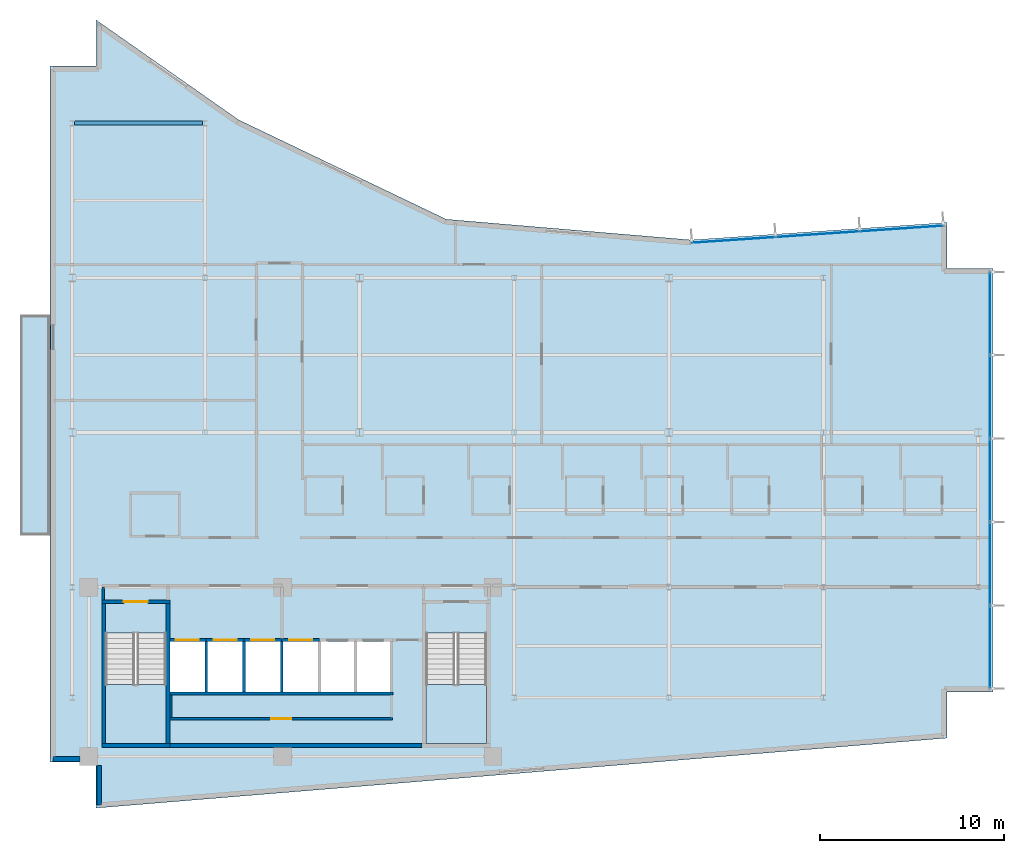
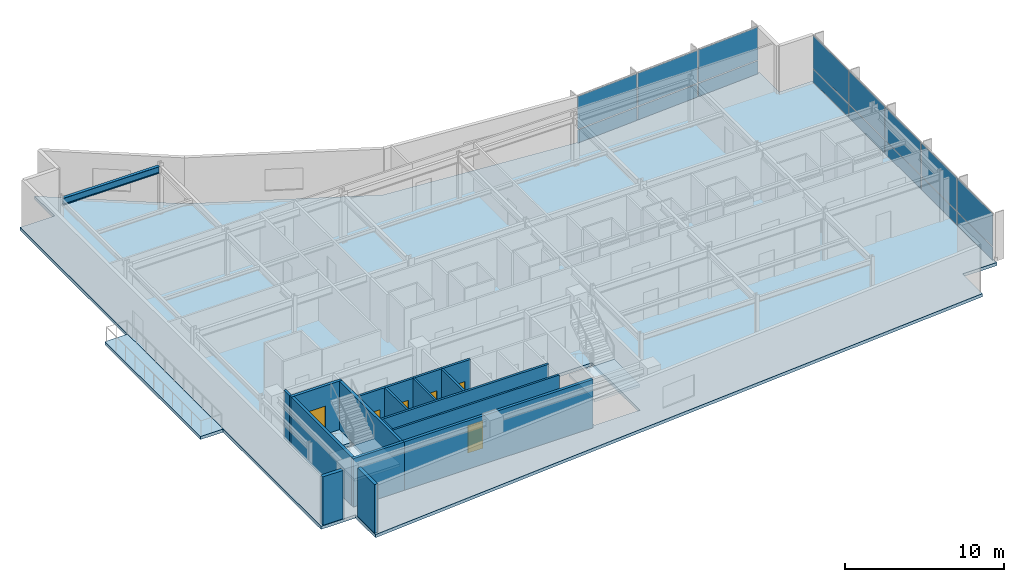
# One storey, part 10 of 17: 18 walls, 16 plates, 6 doors, 4 slabs, 1 beam, 6 openings, 4 elements without a shape of their own.
"""IFC4 building model written with IfcOpenShell, lengths in metres."""

from ifc_helpers import new_model, si_unit, direction, frame, frame_2d, origin, origin_2d, place, context, subcontext, project, spatial, polyline, rectangle, i_section, outline, extrude, material, layer, layer_set, material_profile, profile_set, type_object, element, fill, aggregate, save


model = new_model("IFC4")

# Units and contexts
model_context = context("Model", 3, precision=1e-05, world=origin(), true_north=direction((0.0, 1.0)))
body_context = subcontext(model_context, "Body", "Model", "MODEL_VIEW")
ifc_project = project(units=[si_unit("LENGTHUNIT", "METRE"), si_unit("AREAUNIT", "SQUARE_METRE"), si_unit("VOLUMEUNIT", "CUBIC_METRE"), si_unit("PLANEANGLEUNIT", "RADIAN"), si_unit("MASSUNIT", "GRAM", prefix="KILO")], contexts=[model_context])

# Site, building, storey
site_placement = place(None, origin())
site = spatial("IfcSite", under=ifc_project, at=site_placement, CompositionType="ELEMENT")
building_placement = place(site_placement, origin())
building = spatial("IfcBuilding", under=site, at=building_placement, Name="Varnakote Quay Hospital", CompositionType="ELEMENT")
storey_placement = place(building_placement, frame((0.0, 0.0, 227.64990234375)))
storey = spatial("IfcBuildingStorey", under=building, at=storey_placement, Name="L56", CompositionType="ELEMENT", Elevation=227.64990234375)

# Beam
ifc_material_1 = material(Name="Structural steel AS/NZS 3679.1 Grade 350 L0 (fy 340 MPa)", Category="steel")
ifc_material_profile = material_profile(ifc_material_1, i_section(OverallWidth=0.208984375, OverallDepth=0.532958984375, WebThickness=0.01025390625, FlangeThickness=0.015625, FilletRadius=0.013916015625, at=origin_2d()), Name="530UB92.4")
ifc_profile_set = profile_set([ifc_material_profile], Name="Structural steel AS/NZS 3679.1 Grade 350 L0 (fy 340 MPa)")
beam_type = type_object("IfcBeamType", Name="BM-STL-530UB92-4", PredefinedType="BEAM", material=ifc_profile_set)
beam_placement = place(storey_placement, frame((1.327880859375, 37.199951171875, 3.443603515625), z_axis=(1.0, 0.0, 0.0), x_axis=(0.0, 1.0, 0.0)))
element("IfcBeam", 1, at=beam_placement, inside=storey, type_object=beam_type, Name="L56 Primary Floor Beam", PredefinedType="BEAM", context=body_context, shape_type="SweptSolid", body=[
    extrude(i_section(OverallWidth=0.208984375, OverallDepth=0.532958984375, WebThickness=0.01025390625, FlangeThickness=0.015625, FilletRadius=0.013916015625, at=origin_2d()), origin(), (0.0, 0.0, 1.0), 6.944091796875),
])

# Curtain wall, plates
ifc_material_2 = material(Name="Anodised aluminium 6063-T6 Bronze", Category="aluminium")
ifc_layer_1 = layer(ifc_material_2, 0.219970703125)
ifc_layer_set_1 = layer_set([ifc_layer_1], Name="Anodised aluminium 6063-T6 Bronze")
curtain_wall_type = type_object("IfcCurtainWallType", Name="CW-SYS-4", PredefinedType="NOTDEFINED", material=ifc_layer_set_1)
curtain_wall_1_placement = place(storey_placement, origin())
curtain_wall_1 = element("IfcCurtainWall", 2, at=curtain_wall_1_placement, inside=storey, type_object=curtain_wall_type, Name="L56 Unitised Bronze Curtain Wall 1", PredefinedType="NOTDEFINED")
ifc_material_3 = material(Name="Double-glazed low-E solar glass", Category="glass")
ifc_layer_2 = layer(ifc_material_3, 0.028076171875)
ifc_layer_set_2 = layer_set([ifc_layer_2], Name="Double-glazed low-E solar glass")
plate_type = type_object("IfcPlateType", Name="CW-PNL-GLZ-28", PredefinedType="CURTAIN_PANEL", material=ifc_layer_set_2)
plate_1_placement = place(storey_placement, frame((51.0400390625, 8.744140625, 0.065185546875), z_axis=(0.0, 0.0, 1.0), x_axis=(0.0, 1.0, 0.0)))
plate_1 = element("IfcPlate", 3, at=plate_1_placement, type_object=plate_type, Name="-4-L56-1 panel 1.1", PredefinedType="CURTAIN_PANEL", context=body_context, shape_type="SweptSolid", body=[
    extrude(rectangle(XDim=4.4384765625, YDim=0.028076171875, at=origin_2d()), origin(), (0.0, 0.0, 1.0), 1.00244140625),
])
plate_2_placement = place(storey_placement, frame((51.0400390625, 8.744140625, 1.1328125), z_axis=(0.0, 0.0, 1.0), x_axis=(0.0, 1.0, 0.0)))
plate_2 = element("IfcPlate", 4, at=plate_2_placement, type_object=plate_type, Name="-4-L56-1 panel 1.2", PredefinedType="CURTAIN_PANEL", context=body_context, shape_type="SweptSolid", body=[
    extrude(rectangle(XDim=4.4384765625, YDim=0.028076171875, at=origin_2d()), origin(), (0.0, 0.0, 1.0), 2.512451171875),
])
plate_3_placement = place(storey_placement, frame((51.0400390625, 13.263916015625, 0.065185546875), z_axis=(0.0, 0.0, 1.0), x_axis=(0.0, 1.0, 0.0)))
plate_3 = element("IfcPlate", 5, at=plate_3_placement, type_object=plate_type, Name="-4-L56-1 panel 2.1", PredefinedType="CURTAIN_PANEL", context=body_context, shape_type="SweptSolid", body=[
    extrude(rectangle(XDim=4.470947265625, YDim=0.028076171875, at=origin_2d()), origin(), (0.0, 0.0, 1.0), 1.00244140625),
])
plate_4_placement = place(storey_placement, frame((51.0400390625, 13.263916015625, 1.1328125), z_axis=(0.0, 0.0, 1.0), x_axis=(0.0, 1.0, 0.0)))
plate_4 = element("IfcPlate", 6, at=plate_4_placement, type_object=plate_type, Name="-4-L56-1 panel 2.2", PredefinedType="CURTAIN_PANEL", context=body_context, shape_type="SweptSolid", body=[
    extrude(rectangle(XDim=4.470947265625, YDim=0.028076171875, at=origin_2d()), origin(), (0.0, 0.0, 1.0), 2.512451171875),
])
plate_5_placement = place(storey_placement, frame((51.0400390625, 17.800048828125, 0.065185546875), z_axis=(0.0, 0.0, 1.0), x_axis=(0.0, 1.0, 0.0)))
plate_5 = element("IfcPlate", 7, at=plate_5_placement, type_object=plate_type, Name="-4-L56-1 panel 3.1", PredefinedType="CURTAIN_PANEL", context=body_context, shape_type="SweptSolid", body=[
    extrude(rectangle(XDim=4.470947265625, YDim=0.028076171875, at=origin_2d()), origin(), (0.0, 0.0, 1.0), 1.00244140625),
])
plate_6_placement = place(storey_placement, frame((51.0400390625, 17.800048828125, 1.1328125), z_axis=(0.0, 0.0, 1.0), x_axis=(0.0, 1.0, 0.0)))
plate_6 = element("IfcPlate", 8, at=plate_6_placement, type_object=plate_type, Name="-4-L56-1 panel 3.2", PredefinedType="CURTAIN_PANEL", context=body_context, shape_type="SweptSolid", body=[
    extrude(rectangle(XDim=4.470947265625, YDim=0.028076171875, at=origin_2d()), origin(), (0.0, 0.0, 1.0), 2.512451171875),
])
plate_7_placement = place(storey_placement, frame((51.0400390625, 22.3359375, 0.065185546875), z_axis=(0.0, 0.0, 1.0), x_axis=(0.0, 1.0, 0.0)))
plate_7 = element("IfcPlate", 9, at=plate_7_placement, type_object=plate_type, Name="-4-L56-1 panel 4.1", PredefinedType="CURTAIN_PANEL", context=body_context, shape_type="SweptSolid", body=[
    extrude(rectangle(XDim=4.470947265625, YDim=0.028076171875, at=origin_2d()), origin(), (0.0, 0.0, 1.0), 1.00244140625),
])
plate_8_placement = place(storey_placement, frame((51.0400390625, 22.3359375, 1.1328125), z_axis=(0.0, 0.0, 1.0), x_axis=(0.0, 1.0, 0.0)))
plate_8 = element("IfcPlate", 10, at=plate_8_placement, type_object=plate_type, Name="-4-L56-1 panel 4.2", PredefinedType="CURTAIN_PANEL", context=body_context, shape_type="SweptSolid", body=[
    extrude(rectangle(XDim=4.470947265625, YDim=0.028076171875, at=origin_2d()), origin(), (0.0, 0.0, 1.0), 2.512451171875),
])
plate_9_placement = place(storey_placement, frame((51.0400390625, 26.855712890625, 0.065185546875), z_axis=(0.0, 0.0, 1.0), x_axis=(0.0, 1.0, 0.0)))
plate_9 = element("IfcPlate", 11, at=plate_9_placement, type_object=plate_type, Name="-4-L56-1 panel 5.1", PredefinedType="CURTAIN_PANEL", context=body_context, shape_type="SweptSolid", body=[
    extrude(rectangle(XDim=4.4384765625, YDim=0.028076171875, at=origin_2d()), origin(), (0.0, 0.0, 1.0), 1.00244140625),
])
plate_10_placement = place(storey_placement, frame((51.0400390625, 26.855712890625, 1.1328125), z_axis=(0.0, 0.0, 1.0), x_axis=(0.0, 1.0, 0.0)))
plate_10 = element("IfcPlate", 12, at=plate_10_placement, type_object=plate_type, Name="-4-L56-1 panel 5.2", PredefinedType="CURTAIN_PANEL", context=body_context, shape_type="SweptSolid", body=[
    extrude(rectangle(XDim=4.4384765625, YDim=0.028076171875, at=origin_2d()), origin(), (0.0, 0.0, 1.0), 2.512451171875),
])
aggregate(curtain_wall_1, [plate_1, plate_2, plate_3, plate_4, plate_5, plate_6, plate_7, plate_8, plate_9, plate_10])

curtain_wall_2_placement = place(storey_placement, origin())
curtain_wall_2 = element("IfcCurtainWall", 13, at=curtain_wall_2_placement, inside=storey, type_object=curtain_wall_type, Name="L56 Unitised Bronze Curtain Wall 2", PredefinedType="NOTDEFINED")
plate_11_placement = place(storey_placement, frame((46.236328125, 31.47216796875, 0.065185546875), z_axis=(0.0, 0.0, 1.0), x_axis=(-0.997696087615, -0.067841851077, 0.0)))
plate_11 = element("IfcPlate", 14, at=plate_11_placement, type_object=plate_type, Name="-4-L56-2 panel 1.1", PredefinedType="CURTAIN_PANEL", context=body_context, shape_type="SweptSolid", body=[
    extrude(rectangle(XDim=4.48828125, YDim=0.028076171875, at=origin_2d()), origin(), (0.0, 0.0, 1.0), 1.00244140625),
])
plate_12_placement = place(storey_placement, frame((46.236328125, 31.47216796875, 1.1328125), z_axis=(0.0, 0.0, 1.0), x_axis=(-0.997696087615, -0.067841851077, 0.0)))
plate_12 = element("IfcPlate", 15, at=plate_12_placement, type_object=plate_type, Name="-4-L56-2 panel 1.2", PredefinedType="CURTAIN_PANEL", context=body_context, shape_type="SweptSolid", body=[
    extrude(rectangle(XDim=4.48828125, YDim=0.028076171875, at=origin_2d()), origin(), (0.0, 0.0, 1.0), 2.512451171875),
])
plate_13_placement = place(storey_placement, frame((41.67724609375, 31.162109375, 0.065185546875), z_axis=(0.0, 0.0, 1.0), x_axis=(-0.997696087615, -0.067841851077, 0.0)))
plate_13 = element("IfcPlate", 16, at=plate_13_placement, type_object=plate_type, Name="-4-L56-2 panel 2.1", PredefinedType="CURTAIN_PANEL", context=body_context, shape_type="SweptSolid", body=[
    extrude(rectangle(XDim=4.520751953125, YDim=0.028076171875, at=origin_2d()), origin(), (0.0, 0.0, 1.0), 1.00244140625),
])
plate_14_placement = place(storey_placement, frame((41.67724609375, 31.162109375, 1.1328125), z_axis=(0.0, 0.0, 1.0), x_axis=(-0.997696087615, -0.067841851077, 0.0)))
plate_14 = element("IfcPlate", 17, at=plate_14_placement, type_object=plate_type, Name="-4-L56-2 panel 2.2", PredefinedType="CURTAIN_PANEL", context=body_context, shape_type="SweptSolid", body=[
    extrude(rectangle(XDim=4.520751953125, YDim=0.028076171875, at=origin_2d()), origin(), (0.0, 0.0, 1.0), 2.512451171875),
])
plate_15_placement = place(storey_placement, frame((37.118408203125, 30.85205078125, 0.065185546875), z_axis=(0.0, 0.0, 1.0), x_axis=(-0.997696087615, -0.067841851077, 0.0)))
plate_15 = element("IfcPlate", 18, at=plate_15_placement, type_object=plate_type, Name="-4-L56-2 panel 3.1", PredefinedType="CURTAIN_PANEL", context=body_context, shape_type="SweptSolid", body=[
    extrude(rectangle(XDim=4.48828125, YDim=0.028076171875, at=origin_2d()), origin(), (0.0, 0.0, 1.0), 1.00244140625),
])
plate_16_placement = place(storey_placement, frame((37.118408203125, 30.85205078125, 1.1328125), z_axis=(0.0, 0.0, 1.0), x_axis=(-0.997696087615, -0.067841851077, 0.0)))
plate_16 = element("IfcPlate", 19, at=plate_16_placement, type_object=plate_type, Name="-4-L56-2 panel 3.2", PredefinedType="CURTAIN_PANEL", context=body_context, shape_type="SweptSolid", body=[
    extrude(rectangle(XDim=4.48828125, YDim=0.028076171875, at=origin_2d()), origin(), (0.0, 0.0, 1.0), 2.512451171875),
])
aggregate(curtain_wall_2, [plate_11, plate_12, plate_13, plate_14, plate_15, plate_16])

# Stair, slab
ifc_material_4 = material(Name="Concrete N40 (f'c 40 MPa)", Category="concrete")
stair_type = type_object("IfcStairType", Name="STR-CORE-1580", PredefinedType="HALF_TURN_STAIR", material=ifc_material_4)
stair_1_placement = place(storey_placement, origin())
stair_1 = element("IfcStair", 20, at=stair_1_placement, inside=storey, type_object=stair_type, Name="L56 Fire-Isolated Exit Stair ST-01", PredefinedType="HALF_TURN_STAIR")
ifc_material_5 = material(Name="Concrete N40 (f'c 40 MPa)", Category="concrete")
ifc_layer_3 = layer(ifc_material_5, 0.199951171875)
ifc_layer_set_3 = layer_set([ifc_layer_3], Name="Concrete N40 (f'c 40 MPa)")
slab_type_1 = type_object("IfcSlabType", Name="SLB-STAIR-LND-200", PredefinedType="LANDING", material=ifc_layer_set_3)
slab_1_placement = place(storey_placement, frame((0.0, 0.0, 1.775146484375)))
slab_1 = element("IfcSlab", 21, at=slab_1_placement, type_object=slab_type_1, Name="ST-01 landing 1", PredefinedType="LANDING", context=body_context, shape_type="SweptSolid", body=[
    extrude(outline(polyline([(3.0, 6.699951171875), (3.0, 3.5), (6.300048828125, 3.5), (6.300048828125, 6.699951171875), (3.0, 6.699951171875)])), origin(), (0.0, 0.0, 1.0), 0.199951171875),
])
aggregate(stair_1, [slab_1])

stair_2_placement = place(storey_placement, origin())
stair_2 = element("IfcStair", 22, at=stair_2_placement, inside=storey, type_object=stair_type, Name="L56 Fire-Isolated Exit Stair ST-02", PredefinedType="HALF_TURN_STAIR")
slab_2_placement = place(storey_placement, frame((0.0, 0.0, 1.775146484375)))
slab_2 = element("IfcSlab", 23, at=slab_2_placement, type_object=slab_type_1, Name="ST-02 landing 1", PredefinedType="LANDING", context=body_context, shape_type="SweptSolid", body=[
    extrude(outline(polyline([(20.39990234375, 6.699951171875), (20.39990234375, 3.5), (23.699951171875, 3.5), (23.699951171875, 6.699951171875), (20.39990234375, 6.699951171875)])), origin(), (0.0, 0.0, 1.0), 0.199951171875),
])
aggregate(stair_2, [slab_2])

# Slabs
ifc_material_6 = material(Name="Concrete N50 (f'c 50 MPa)", Category="concrete")
ifc_layer_4 = layer(ifc_material_6, 0.239990234375)
ifc_layer_set_4 = layer_set([ifc_layer_4], Name="Concrete N50 (f'c 50 MPa)")
slab_type_2 = type_object("IfcSlabType", Name="SLB-TERR-200", PredefinedType="FLOOR", material=ifc_layer_set_4)
slab_3_placement = place(storey_placement, frame((0.0, 0.0, -0.239990234375)))
element("IfcSlab", 24, at=slab_3_placement, inside=storey, type_object=slab_type_2, Name="L56 Waterfront Healing Terrace Slab", PredefinedType="FLOOR", context=body_context, shape_type="SweptSolid", body=[
    extrude(outline(polyline([(0.00390625, 14.800048828125), (0.00390625, 26.800048828125), (-1.639892578125, 26.800048828125), (-1.639892578125, 14.800048828125), (0.00390625, 14.800048828125)])), origin(), (0.0, 0.0, 1.0), 0.239990234375),
])
ifc_material_7 = material(Name="Concrete N50 (f'c 50 MPa)", Category="concrete")
ifc_layer_5 = layer(ifc_material_7, 0.239990234375)
ifc_layer_set_5 = layer_set([ifc_layer_5], Name="Concrete N50 (f'c 50 MPa)")
slab_type_3 = type_object("IfcSlabType", Name="SLB-WARD-200", PredefinedType="FLOOR", material=ifc_layer_set_5)
slab_4_placement = place(storey_placement, frame((0.0, 0.0, -0.239990234375)))
element("IfcSlab", 25, at=slab_4_placement, inside=storey, type_object=slab_type_3, Name="L56 Primary Floor Slab", PredefinedType="FLOOR", context=body_context, shape_type="SweptSolid", body=[
    extrude(outline(polyline([(0.0, 2.5), (2.5, 2.5), (2.5, 0.0), (48.699951171875, 3.800048828125), (48.699951171875, 6.300048828125), (51.199951171875, 6.300048828125), (51.199951171875, 29.300048828125), (48.699951171875, 29.300048828125), (48.699951171875, 31.800048828125), (34.81591796875, 30.85595703125), (21.50390625, 31.97998046875), (10.239990234375, 37.3759765625), (2.5, 42.800048828125), (2.5, 40.300048828125), (0.0, 40.300048828125), (0.0, 2.5)]), holes=[polyline([(3.0, 3.5), (6.300048828125, 3.5), (6.300048828125, 9.49951171875), (3.0, 9.49951171875), (3.0, 3.5)]), polyline([(20.39990234375, 3.5), (23.699951171875, 3.5), (23.699951171875, 9.49951171875), (20.39990234375, 9.49951171875), (20.39990234375, 3.5)]), polyline([(6.5, 6.300048828125), (8.39990234375, 6.300048828125), (8.39990234375, 9.050048828125), (6.5, 9.050048828125), (6.5, 6.300048828125)]), polyline([(8.550048828125, 6.300048828125), (10.449951171875, 6.300048828125), (10.449951171875, 9.050048828125), (8.550048828125, 9.050048828125), (8.550048828125, 6.300048828125)]), polyline([(10.60009765625, 6.300048828125), (12.5, 6.300048828125), (12.5, 9.050048828125), (10.60009765625, 9.050048828125), (10.60009765625, 6.300048828125)]), polyline([(12.64990234375, 6.300048828125), (14.550048828125, 6.300048828125), (14.550048828125, 9.050048828125), (12.64990234375, 9.050048828125), (12.64990234375, 6.300048828125)]), polyline([(14.699951171875, 6.300048828125), (16.5, 6.300048828125), (16.5, 9.050048828125), (14.699951171875, 9.050048828125), (14.699951171875, 6.300048828125)]), polyline([(16.64990234375, 6.300048828125), (18.449951171875, 6.300048828125), (18.449951171875, 9.050048828125), (16.64990234375, 9.050048828125), (16.64990234375, 6.300048828125)])]), origin(), (0.0, 0.0, 1.0), 0.239990234375),
])

# Walls
ifc_material_8 = material(Name="Fire-rated acoustic gypsum stud wall", Category="gypsum")
ifc_layer_6 = layer(ifc_material_8, 0.159912109375)
ifc_layer_set_6 = layer_set([ifc_layer_6], Name="Fire-rated acoustic gypsum stud wall")
wall_type_1 = type_object("IfcWallType", Name="WL-COMP-160", PredefinedType="PARTITIONING", material=ifc_layer_set_6)
wall_1_placement = place(storey_placement, frame((2.8798828125, 11.300048828125, 0.0), z_axis=(0.0, 0.0, 1.0), x_axis=(0.0, 1.0, 0.0)))
element("IfcWall", 26, at=wall_1_placement, inside=storey, type_object=wall_type_1, Name="L56 West Stair Vestibule West Wall", PredefinedType="PARTITIONING", context=body_context, shape_type="SweptSolid", body=[
    extrude(rectangle(XDim=0.699951171875, YDim=0.159912109375, at=frame_2d((0.35009765625, 0.0))), origin(), (0.0, 0.0, 1.0), 3.710205078125),
])
ifc_material_9 = material(Name="Concrete N50 (f'c 50 MPa)", Category="concrete")
ifc_layer_7 = layer(ifc_material_9, 0.199951171875)
ifc_layer_set_7 = layer_set([ifc_layer_7], Name="Concrete N50 (f'c 50 MPa)")
wall_type_2 = type_object("IfcWallType", Name="WL-CORE-N50-200", PredefinedType="SHEAR", material=ifc_layer_set_7)
wall_2_placement = place(storey_placement, frame((6.5, 3.39990234375, 0.0), z_axis=(0.0, 0.0, 1.0), x_axis=(1.0, 0.0, 0.0)))
element("IfcWall", 27, at=wall_2_placement, inside=storey, type_object=wall_type_2, Name="L56 Rear Core South Shear Wall", PredefinedType="SHEAR", context=body_context, shape_type="SweptSolid", body=[
    extrude(rectangle(XDim=13.699951171875, YDim=0.199951171875, at=frame_2d((6.85009765625, 0.0))), origin(), (0.0, 0.0, 1.0), 3.710205078125),
])
ifc_material_10 = material(Name="Precast concrete N50 (f'c 50 MPa)", Category="concrete")
ifc_layer_8 = layer(ifc_material_10, 0.260009765625)
ifc_layer_set_8 = layer_set([ifc_layer_8], Name="Precast concrete N50 (f'c 50 MPa)")
wall_type_3 = type_object("IfcWallType", Name="WL-EXT-BRICK-260", PredefinedType="STANDARD", material=ifc_layer_set_8)
wall_3_placement = place(storey_placement, frame((2.659912109375, 2.31494140625, 0.0), z_axis=(0.0, 0.0, 1.0), x_axis=(0.0, -1.0, 0.0)))
element("IfcWall", 28, at=wall_3_placement, inside=storey, type_object=wall_type_3, Name="L56 Brick-Faced Precast Exterior Wall", PredefinedType="STANDARD", context=body_context, shape_type="SweptSolid", body=[
    extrude(rectangle(XDim=2.141357421875, YDim=0.260009765625, at=frame_2d((1.07080078125, 0.0))), origin(), (0.0, 0.0, 1.0), 3.710205078125),
])
wall_4_placement = place(storey_placement, frame((0.159912109375, 2.659912109375, 0.0), z_axis=(0.0, 0.0, 1.0), x_axis=(1.0, 0.0, 0.0)))
element("IfcWall", 29, at=wall_4_placement, inside=storey, type_object=wall_type_3, Name="L56 Brick-Faced Precast Exterior Wall", PredefinedType="STANDARD", context=body_context, shape_type="SweptSolid", body=[
    extrude(rectangle(XDim=1.455078125, YDim=0.260009765625, at=frame_2d((0.7275390625, 0.0))), origin(), (0.0, 0.0, 1.0), 3.710205078125),
])
ifc_material_11 = material(Name="Concrete N50 (f'c 50 MPa)", Category="concrete")
ifc_layer_9 = layer(ifc_material_11, 0.14990234375)
ifc_layer_set_9 = layer_set([ifc_layer_9], Name="Concrete N50 (f'c 50 MPa)")
wall_type_4 = type_object("IfcWallType", Name="WL-SHAFT-N50-150", PredefinedType="SHEAR", material=ifc_layer_set_9)
for number, where, z_axis, x_axis, name in (
    (30, (8.47509765625, 6.300048828125, 0.0), (0.0, 0.0, 1.0), (0.0, 1.0, 0.0), "L56 LF-FF1 Hoistway Divider Wall"),
    (31, (10.52490234375, 6.300048828125, 0.0), (0.0, 0.0, 1.0), (0.0, 1.0, 0.0), "L56 LF-FF2 Hoistway Divider Wall"),
    (32, (12.574951171875, 6.300048828125, 0.0), (0.0, 0.0, 1.0), (0.0, 1.0, 0.0), "L56 LF-SV1 Hoistway Divider Wall"),
):
    element("IfcWall", number, at=place(storey_placement, frame(where, z_axis=z_axis, x_axis=x_axis)), inside=storey, type_object=wall_type_4, Name=name, PredefinedType="SHEAR", context=body_context, shape_type="SweptSolid", body=[
        extrude(rectangle(XDim=2.75, YDim=0.14990234375, at=frame_2d((1.375, 0.0))), origin(), (0.0, 0.0, 1.0), 3.710205078125),
    ])
ifc_material_12 = material(Name="Concrete N50 (f'c 50 MPa)", Category="concrete")
ifc_layer_10 = layer(ifc_material_12, 0.159912109375)
ifc_layer_set_10 = layer_set([ifc_layer_10], Name="Concrete N50 (f'c 50 MPa)")
wall_type_5 = type_object("IfcWallType", Name="WL-SHAFT-N50-160", PredefinedType="SHEAR", material=ifc_layer_set_10)
wall_5_placement = place(storey_placement, frame((6.5, 6.219970703125, 0.0), z_axis=(0.0, 0.0, 1.0), x_axis=(1.0, 0.0, 0.0)))
element("IfcWall", 33, at=wall_5_placement, inside=storey, type_object=wall_type_5, Name="L56 REAR Lift Bank Back Shear Wall", PredefinedType="SHEAR", context=body_context, shape_type="SweptSolid", body=[
    extrude(rectangle(XDim=12.110107421875, YDim=0.159912109375, at=frame_2d((6.05517578125, 0.0))), origin(), (0.0, 0.0, 1.0), 3.710205078125),
])

# Wall, opening, door
wall_6_placement = place(storey_placement, frame((6.5, 9.1298828125, 0.0), z_axis=(0.0, 0.0, 1.0), x_axis=(1.0, 0.0, 0.0)))
wall_6 = element("IfcWall", 34, at=wall_6_placement, inside=storey, type_object=wall_type_5, Name="L56 LF-FF1 Hoistway Front Wall", PredefinedType="SHEAR", context=body_context, shape_type="SweptSolid", body=[
    extrude(rectangle(XDim=1.97509765625, YDim=0.159912109375, at=frame_2d((0.987548828125, 0.0))), origin(), (0.0, 0.0, 1.0), 3.710205078125),
])
opening_1_placement = place(wall_6_placement, frame((0.324951171875, 0.0, 0.0)))
opening_1 = element("IfcOpeningElement", 35, at=opening_1_placement, cuts=wall_6, Name="Opening LD-FF1-L56", PredefinedType="OPENING", context=body_context, shape_type="SweptSolid", body=[
    extrude(rectangle(XDim=1.25, YDim=2.14990234375, at=frame_2d((0.625, 1.074951171875))), frame((0.0, 0.08984375, 0.0), z_axis=(0.0, -1.0, 0.0), x_axis=(1.0, 0.0, 0.0)), (0.0, 0.0, 1.0), 0.179931640625),
])
ifc_material_13 = material(Name="Stainless steel lift landing sliding door", Category="steel")
door_type_1 = type_object("IfcDoorType", Name="DR-LIFT-LD-1250x2150", OperationType="NOTDEFINED", PredefinedType="DOOR", material=ifc_material_13)
door_1_placement = place(opening_1_placement, origin())
door_1 = element("IfcDoor", 36, at=door_1_placement, inside=storey, type_object=door_type_1, Name="L56 LF-FF1 Lift Landing Sliding Door", OperationType="SLIDING_TO_LEFT", OverallHeight=2.14990234375, OverallWidth=1.25, PredefinedType="DOOR", context=body_context, shape_type="SweptSolid", body=[
    extrude(rectangle(XDim=1.25, YDim=2.14990234375, at=frame_2d((0.625, 1.074951171875))), frame((0.0, 0.02490234375, 0.0), z_axis=(0.0, -1.0, 0.0), x_axis=(1.0, 0.0, 0.0)), (0.0, 0.0, 1.0), 0.050048828125),
])
fill(opening_1, door_1)

wall_7_placement = place(storey_placement, frame((8.47509765625, 9.1298828125, 0.0), z_axis=(0.0, 0.0, 1.0), x_axis=(1.0, 0.0, 0.0)))
wall_7 = element("IfcWall", 37, at=wall_7_placement, inside=storey, type_object=wall_type_5, Name="L56 LF-FF2 Hoistway Front Wall", PredefinedType="SHEAR", context=body_context, shape_type="SweptSolid", body=[
    extrude(rectangle(XDim=2.0498046875, YDim=0.159912109375, at=frame_2d((1.02490234375, 0.0))), origin(), (0.0, 0.0, 1.0), 3.710205078125),
])
opening_2_placement = place(wall_7_placement, frame((0.39990234375, 0.0, 0.0)))
opening_2 = element("IfcOpeningElement", 38, at=opening_2_placement, cuts=wall_7, Name="Opening LD-FF2-L56", PredefinedType="OPENING", context=body_context, shape_type="SweptSolid", body=[
    extrude(rectangle(XDim=1.25, YDim=2.14990234375, at=frame_2d((0.625, 1.074951171875))), frame((0.0, 0.08984375, 0.0), z_axis=(0.0, -1.0, 0.0), x_axis=(1.0, 0.0, 0.0)), (0.0, 0.0, 1.0), 0.179931640625),
])
door_2_placement = place(opening_2_placement, origin())
door_2 = element("IfcDoor", 39, at=door_2_placement, inside=storey, type_object=door_type_1, Name="L56 LF-FF2 Lift Landing Sliding Door", OperationType="SLIDING_TO_LEFT", OverallHeight=2.14990234375, OverallWidth=1.25, PredefinedType="DOOR", context=body_context, shape_type="SweptSolid", body=[
    extrude(rectangle(XDim=1.25, YDim=2.14990234375, at=frame_2d((0.625, 1.074951171875))), frame((0.0, 0.02490234375, 0.0), z_axis=(0.0, -1.0, 0.0), x_axis=(1.0, 0.0, 0.0)), (0.0, 0.0, 1.0), 0.050048828125),
])
fill(opening_2, door_2)

wall_8_placement = place(storey_placement, frame((10.52490234375, 9.1298828125, 0.0), z_axis=(0.0, 0.0, 1.0), x_axis=(1.0, 0.0, 0.0)))
wall_8 = element("IfcWall", 40, at=wall_8_placement, inside=storey, type_object=wall_type_5, Name="L56 LF-SV1 Hoistway Front Wall", PredefinedType="SHEAR", context=body_context, shape_type="SweptSolid", body=[
    extrude(rectangle(XDim=2.050048828125, YDim=0.159912109375, at=frame_2d((1.02490234375, 0.0))), origin(), (0.0, 0.0, 1.0), 3.710205078125),
])
opening_3_placement = place(wall_8_placement, frame((0.39990234375, 0.0, 0.0)))
opening_3 = element("IfcOpeningElement", 41, at=opening_3_placement, cuts=wall_8, Name="Opening LD-SV1-L56", PredefinedType="OPENING", context=body_context, shape_type="SweptSolid", body=[
    extrude(rectangle(XDim=1.25, YDim=2.14990234375, at=frame_2d((0.625, 1.074951171875))), frame((0.0, 0.08984375, 0.0), z_axis=(0.0, -1.0, 0.0), x_axis=(1.0, 0.0, 0.0)), (0.0, 0.0, 1.0), 0.179931640625),
])
door_3_placement = place(opening_3_placement, origin())
door_3 = element("IfcDoor", 42, at=door_3_placement, inside=storey, type_object=door_type_1, Name="L56 LF-SV1 Lift Landing Sliding Door", OperationType="SLIDING_TO_LEFT", OverallHeight=2.14990234375, OverallWidth=1.25, PredefinedType="DOOR", context=body_context, shape_type="SweptSolid", body=[
    extrude(rectangle(XDim=1.25, YDim=2.14990234375, at=frame_2d((0.625, 1.074951171875))), frame((0.0, 0.02490234375, 0.0), z_axis=(0.0, -1.0, 0.0), x_axis=(1.0, 0.0, 0.0)), (0.0, 0.0, 1.0), 0.050048828125),
])
fill(opening_3, door_3)

wall_9_placement = place(storey_placement, frame((12.574951171875, 9.1298828125, 0.0), z_axis=(0.0, 0.0, 1.0), x_axis=(1.0, 0.0, 0.0)))
wall_9 = element("IfcWall", 43, at=wall_9_placement, inside=storey, type_object=wall_type_5, Name="L56 LF-SV2 Hoistway Front Wall", PredefinedType="SHEAR", context=body_context, shape_type="SweptSolid", body=[
    extrude(rectangle(XDim=2.050048828125, YDim=0.159912109375, at=frame_2d((1.02490234375, 0.0))), origin(), (0.0, 0.0, 1.0), 3.710205078125),
])
opening_4_placement = place(wall_9_placement, frame((0.39990234375, 0.0, 0.0)))
opening_4 = element("IfcOpeningElement", 44, at=opening_4_placement, cuts=wall_9, Name="Opening LD-SV2-L56", PredefinedType="OPENING", context=body_context, shape_type="SweptSolid", body=[
    extrude(rectangle(XDim=1.25, YDim=2.14990234375, at=frame_2d((0.625, 1.074951171875))), frame((0.0, 0.08984375, 0.0), z_axis=(0.0, -1.0, 0.0), x_axis=(1.0, 0.0, 0.0)), (0.0, 0.0, 1.0), 0.179931640625),
])
door_4_placement = place(opening_4_placement, origin())
door_4 = element("IfcDoor", 45, at=door_4_placement, inside=storey, type_object=door_type_1, Name="L56 LF-SV2 Lift Landing Sliding Door", OperationType="SLIDING_TO_LEFT", OverallHeight=2.14990234375, OverallWidth=1.25, PredefinedType="DOOR", context=body_context, shape_type="SweptSolid", body=[
    extrude(rectangle(XDim=1.25, YDim=2.14990234375, at=frame_2d((0.625, 1.074951171875))), frame((0.0, 0.02490234375, 0.0), z_axis=(0.0, -1.0, 0.0), x_axis=(1.0, 0.0, 0.0)), (0.0, 0.0, 1.0), 0.050048828125),
])
fill(opening_4, door_4)

# Walls
ifc_material_14 = material(Name="Concrete N50 (f'c 50 MPa)", Category="concrete")
ifc_layer_11 = layer(ifc_material_14, 0.199951171875)
ifc_layer_set_11 = layer_set([ifc_layer_11], Name="Concrete N50 (f'c 50 MPa)")
wall_type_6 = type_object("IfcWallType", Name="WL-SHAFT-N50-200", PredefinedType="SHEAR", material=ifc_layer_set_11)
wall_10_placement = place(storey_placement, frame((2.800048828125, 3.39990234375, 0.0), z_axis=(0.0, 0.0, 1.0), x_axis=(1.0, 0.0, 0.0)))
element("IfcWall", 46, at=wall_10_placement, inside=storey, type_object=wall_type_6, Name="L56 Stair ST1 South Shaft Wall", PredefinedType="SHEAR", context=body_context, shape_type="SweptSolid", body=[
    extrude(rectangle(XDim=3.699951171875, YDim=0.199951171875, at=frame_2d((1.85009765625, 0.0))), origin(), (0.0, 0.0, 1.0), 3.710205078125),
])
for number, where, z_axis, x_axis, name in (
    (47, (2.89990234375, 3.5, 0.0), (0.0, 0.0, 1.0), (0.0, 1.0, 0.0), "L56 Stair ST1 West Shaft Wall"),
    (48, (6.39990234375, 3.5, 0.0), (0.0, 0.0, 1.0), (0.0, 1.0, 0.0), "L56 Stair ST1 East Shaft Wall"),
):
    element("IfcWall", number, at=place(storey_placement, frame(where, z_axis=z_axis, x_axis=x_axis)), inside=storey, type_object=wall_type_6, Name=name, PredefinedType="SHEAR", context=body_context, shape_type="SweptSolid", body=[
        extrude(rectangle(XDim=7.60009765625, YDim=0.199951171875, at=frame_2d((3.800048828125, 0.0))), origin(), (0.0, 0.0, 1.0), 3.710205078125),
    ])

# Wall, opening, door
wall_11_placement = place(storey_placement, frame((2.800048828125, 11.199951171875, 0.0), z_axis=(0.0, 0.0, 1.0), x_axis=(1.0, 0.0, 0.0)))
wall_11 = element("IfcWall", 49, at=wall_11_placement, inside=storey, type_object=wall_type_6, Name="L56 Stair ST1 Exit Wall", PredefinedType="SHEAR", context=body_context, shape_type="SweptSolid", body=[
    extrude(rectangle(XDim=3.699951171875, YDim=0.199951171875, at=frame_2d((1.85009765625, 0.0))), origin(), (0.0, 0.0, 1.0), 3.710205078125),
])
opening_5_placement = place(wall_11_placement, frame((1.199951171875, 0.0, 0.0)))
opening_5 = element("IfcOpeningElement", 50, at=opening_5_placement, cuts=wall_11, Name="Opening D-ST1-L56", PredefinedType="OPENING", context=body_context, shape_type="SweptSolid", body=[
    extrude(rectangle(XDim=1.300048828125, YDim=2.14990234375, at=frame_2d((0.64990234375, 1.074951171875))), frame((0.0, 0.10986328125, 0.0), z_axis=(0.0, -1.0, 0.0), x_axis=(1.0, 0.0, 0.0)), (0.0, 0.0, 1.0), 0.219970703125),
])
ifc_material_15 = material(Name="Fire-rated ceramic-glazed timber exit door", Category="wood")
door_type_2 = type_object("IfcDoorType", Name="DR-STAIR-FD60S-1300x2150", OperationType="NOTDEFINED", PredefinedType="DOOR", material=ifc_material_15)
door_5_placement = place(opening_5_placement, origin())
door_5 = element("IfcDoor", 51, at=door_5_placement, inside=storey, type_object=door_type_2, Name="L56 Stair ST1 Fire Exit Door", OperationType="SINGLE_SWING_RIGHT", OverallHeight=2.14990234375, OverallWidth=1.300048828125, PredefinedType="DOOR", context=body_context, shape_type="SweptSolid", body=[
    extrude(rectangle(XDim=1.300048828125, YDim=2.14990234375, at=frame_2d((0.64990234375, 1.074951171875))), frame((0.0, 0.02490234375, 0.0), z_axis=(0.0, -1.0, 0.0), x_axis=(1.0, 0.0, 0.0)), (0.0, 0.0, 1.0), 0.050048828125),
])
fill(opening_5, door_5)

# Wall
ifc_material_16 = material(Name="Smoke-proof clinical partition", Category="gypsum")
ifc_layer_12 = layer(ifc_material_16, 0.1201171875)
ifc_layer_set_12 = layer_set([ifc_layer_12], Name="Smoke-proof clinical partition")
wall_type_7 = type_object("IfcWallType", Name="WL-SMOKE-120", PredefinedType="PARTITIONING", material=ifc_layer_set_12)
wall_12_placement = place(storey_placement, frame((6.56005859375, 4.919921875, 0.0), z_axis=(0.0, 0.0, 1.0), x_axis=(0.0, 1.0, 0.0)))
element("IfcWall", 52, at=wall_12_placement, inside=storey, type_object=wall_type_7, Name="L56 Core Service Strip West Wall", PredefinedType="PARTITIONING", context=body_context, shape_type="SweptSolid", body=[
    extrude(rectangle(XDim=1.219970703125, YDim=0.1201171875, at=frame_2d((0.60986328125, 0.0))), origin(), (0.0, 0.0, 1.0), 3.710205078125),
])

# Wall, opening, door
ifc_material_17 = material(Name="Fire-rated clinical gypsum partition", Category="gypsum")
ifc_layer_13 = layer(ifc_material_17, 0.139892578125)
ifc_layer_set_13 = layer_set([ifc_layer_13], Name="Fire-rated clinical gypsum partition")
wall_type_8 = type_object("IfcWallType", Name="WL-WARD-140", PredefinedType="PARTITIONING", material=ifc_layer_set_13)
wall_13_placement = place(storey_placement, frame((6.5, 4.85009765625, 0.0), z_axis=(0.0, 0.0, 1.0), x_axis=(1.0, 0.0, 0.0)))
wall_13 = element("IfcWall", 53, at=wall_13_placement, inside=storey, type_object=wall_type_8, Name="L56 Core Clean Linen Store South Wall", PredefinedType="PARTITIONING", context=body_context, shape_type="SweptSolid", body=[
    extrude(rectangle(XDim=12.10009765625, YDim=0.139892578125, at=frame_2d((6.050048828125, 0.0))), origin(), (0.0, 0.0, 1.0), 3.710205078125),
])
opening_6_placement = place(wall_13_placement, frame((5.5, 0.0, 0.0)))
opening_6 = element("IfcOpeningElement", 54, at=opening_6_placement, cuts=wall_13, Name="Opening D-L56-CR01", PredefinedType="OPENING", context=body_context, shape_type="SweptSolid", body=[
    extrude(rectangle(XDim=1.10009765625, YDim=2.10009765625, at=frame_2d((0.550048828125, 1.050048828125))), frame((0.0, 0.079833984375, 0.0), z_axis=(0.0, -1.0, 0.0), x_axis=(1.0, 0.0, 0.0)), (0.0, 0.0, 1.0), 0.159912109375),
])
ifc_material_18 = material(Name="Acoustic timber clinical consult door", Category="wood")
door_type_3 = type_object("IfcDoorType", Name="DR-CLIN-FD30S-1100x2100", OperationType="NOTDEFINED", PredefinedType="DOOR", material=ifc_material_18)
door_6_placement = place(opening_6_placement, origin())
door_6 = element("IfcDoor", 55, at=door_6_placement, inside=storey, type_object=door_type_3, Name="L56 Core Clean Linen Store Door", OperationType="SINGLE_SWING_RIGHT", OverallHeight=2.10009765625, OverallWidth=1.10009765625, PredefinedType="DOOR", context=body_context, shape_type="SweptSolid", body=[
    extrude(rectangle(XDim=1.10009765625, YDim=2.10009765625, at=frame_2d((0.550048828125, 1.050048828125))), frame((0.0, 0.02490234375, 0.0), z_axis=(0.0, -1.0, 0.0), x_axis=(1.0, 0.0, 0.0)), (0.0, 0.0, 1.0), 0.050048828125),
])
fill(opening_6, door_6)

save(model, "model.ifc")
